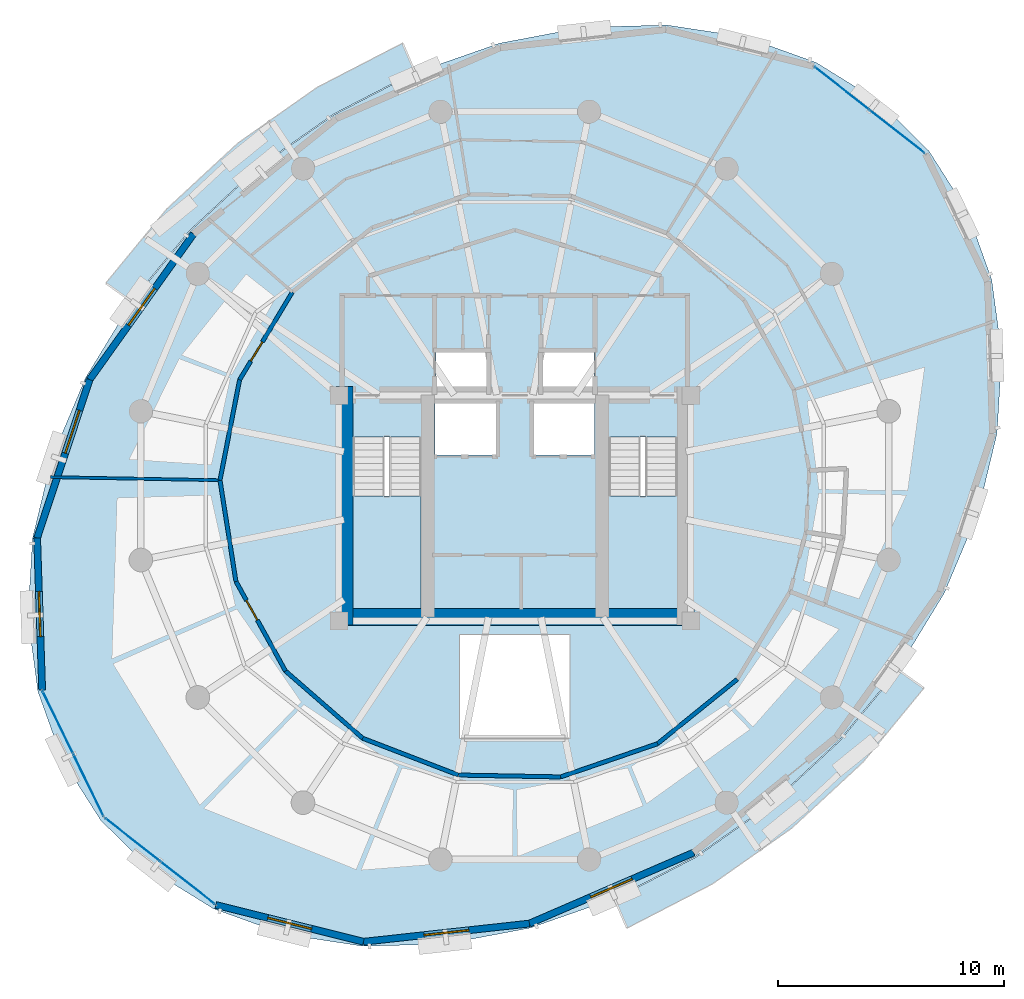
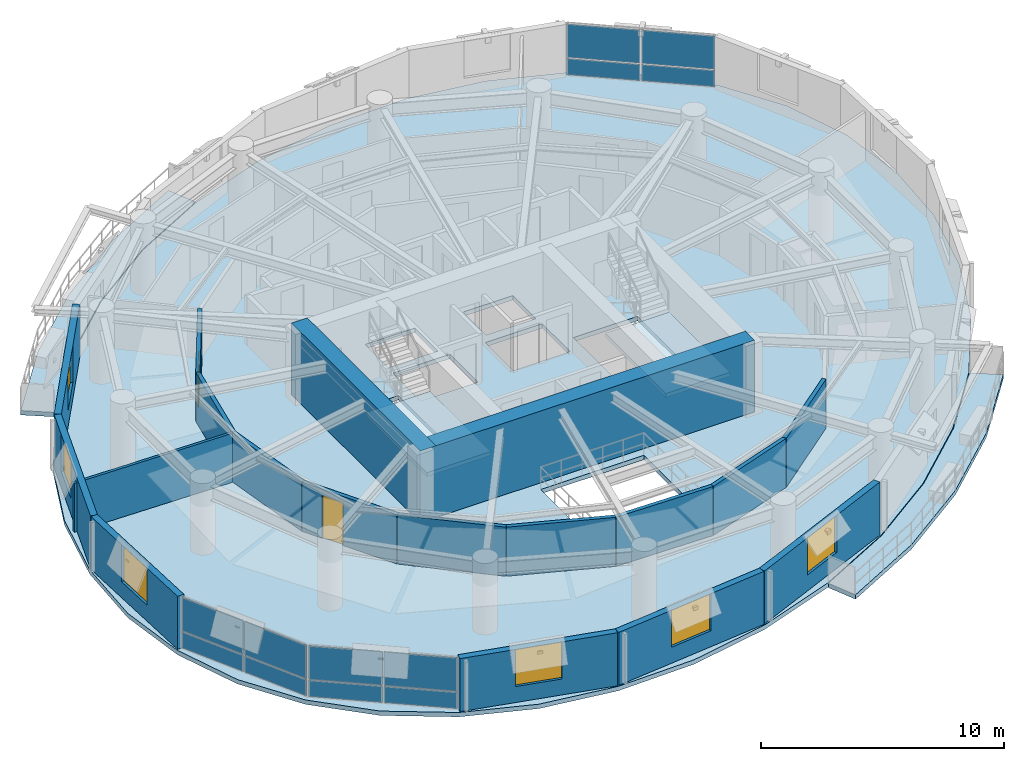
# One storey, part 7 of 12: 18 walls, 12 plates, 6 windows, 5 slabs, 2 doors, 8 openings, 5 elements without a shape of their own.
"""IFC4 building model written with IfcOpenShell, lengths in metres."""

from ifc_helpers import new_model, si_unit, direction, frame, frame_2d, origin, origin_2d, place, context, subcontext, project, spatial, polyline, rectangle, outline, extrude, material, layer, layer_set, type_object, element, fill, aggregate, save


model = new_model("IFC4")

# Units and contexts
model_context = context("Model", 3, precision=1e-05, world=origin(), true_north=direction((0.0, 1.0)))
body_context = subcontext(model_context, "Body", "Model", "MODEL_VIEW")
ifc_project = project(units=[si_unit("LENGTHUNIT", "METRE"), si_unit("AREAUNIT", "SQUARE_METRE"), si_unit("VOLUMEUNIT", "CUBIC_METRE"), si_unit("PLANEANGLEUNIT", "RADIAN"), si_unit("MASSUNIT", "GRAM", prefix="KILO"), si_unit("THERMODYNAMICTEMPERATUREUNIT", "KELVIN"), si_unit("POWERUNIT", "WATT")], contexts=[model_context])

# Site, building, storey
site_placement = place(None, origin())
site = spatial("IfcSite", under=ifc_project, at=site_placement, CompositionType="ELEMENT")
building_placement = place(site_placement, origin())
building = spatial("IfcBuilding", under=site, at=building_placement, Name="Ocrelia Relay Tower", CompositionType="ELEMENT")
storey_placement = place(building_placement, frame((0.0, 0.0, 195.199951171875)))
storey = spatial("IfcBuildingStorey", under=building, at=storey_placement, Name="L47", CompositionType="ELEMENT", Elevation=195.199951171875)

# Curtain wall, plates
ifc_material_1 = material(Name="Aluminium and solar-control low-E glass", Category="aluminium")
ifc_layer_1 = layer(ifc_material_1, 0.179931640625, Name="Aluminium and solar-control low-E glass")
ifc_layer_set_1 = layer_set([ifc_layer_1], Name="Aluminium and solar-control low-E glass")
curtain_wall_type = type_object("IfcCurtainWallType", Name="CW-SYS-Z3-CLOU", PredefinedType="NOTDEFINED", material=ifc_layer_set_1)
curtain_wall_1_placement = place(storey_placement, origin())
curtain_wall_1 = element("IfcCurtainWall", 1, at=curtain_wall_1_placement, inside=storey, type_object=curtain_wall_type, Name="L47 Elliptical Tower Curtain Wall Bay 01", PredefinedType="NOTDEFINED")
ifc_material_2 = material(Name="Clear double-glazed low-E glass", Category="glass")
ifc_layer_2 = layer(ifc_material_2, 0.031982421875, Name="Clear double-glazed low-E glass")
ifc_layer_set_2 = layer_set([ifc_layer_2], Name="Clear double-glazed low-E glass")
plate_type = type_object("IfcPlateType", Name="CW-SYS-Z3-CLOU-PNL", PredefinedType="CURTAIN_PANEL", material=ifc_layer_set_2)
plate_1_placement = place(storey_placement, frame((50.94873046875, 41.688720703125, 0.06005859375), z_axis=(0.0, 0.0, 1.0), x_axis=(-0.787260762162, 0.616620217281, 0.0)))
plate_1 = element("IfcPlate", 2, at=plate_1_placement, type_object=plate_type, Name="CW-Z3 panel 1.1", PredefinedType="CURTAIN_PANEL", context=body_context, shape_type="SweptSolid", body=[
    extrude(rectangle(XDim=3.0439453125, YDim=0.031982421875, at=origin_2d()), origin(), (0.0, 0.0, 1.0), 0.81005859375),
])
plate_2_placement = place(storey_placement, frame((50.94873046875, 41.688720703125, 0.93017578125), z_axis=(0.0, 0.0, 1.0), x_axis=(-0.787260762162, 0.616620217281, 0.0)))
plate_2 = element("IfcPlate", 3, at=plate_2_placement, type_object=plate_type, Name="CW-Z3 panel 1.2", PredefinedType="CURTAIN_PANEL", context=body_context, shape_type="SweptSolid", body=[
    extrude(rectangle(XDim=3.0439453125, YDim=0.031982421875, at=origin_2d()), origin(), (0.0, 0.0, 1.0), 1.669921875),
])
plate_3_placement = place(storey_placement, frame((48.501220703125, 43.605712890625, 0.06005859375), z_axis=(0.0, 0.0, 1.0), x_axis=(-0.787260762162, 0.616620217281, 0.0)))
plate_3 = element("IfcPlate", 4, at=plate_3_placement, type_object=plate_type, Name="CW-Z3 panel 2.1", PredefinedType="CURTAIN_PANEL", context=body_context, shape_type="SweptSolid", body=[
    extrude(rectangle(XDim=3.0439453125, YDim=0.031982421875, at=origin_2d()), origin(), (0.0, 0.0, 1.0), 0.81005859375),
])
plate_4_placement = place(storey_placement, frame((48.501220703125, 43.605712890625, 0.93017578125), z_axis=(0.0, 0.0, 1.0), x_axis=(-0.787260762162, 0.616620217281, 0.0)))
plate_4 = element("IfcPlate", 5, at=plate_4_placement, type_object=plate_type, Name="CW-Z3 panel 2.2", PredefinedType="CURTAIN_PANEL", context=body_context, shape_type="SweptSolid", body=[
    extrude(rectangle(XDim=3.0439453125, YDim=0.031982421875, at=origin_2d()), origin(), (0.0, 0.0, 1.0), 1.669921875),
])
aggregate(curtain_wall_1, [plate_1, plate_2, plate_3, plate_4])

curtain_wall_2_placement = place(storey_placement, origin())
curtain_wall_2 = element("IfcCurtainWall", 6, at=curtain_wall_2_placement, inside=storey, type_object=curtain_wall_type, Name="L47 Elliptical Tower Curtain Wall Bay 09", PredefinedType="NOTDEFINED")
plate_5_placement = place(storey_placement, frame((13.74560546875, 15.511474609375, 0.06005859375), z_axis=(0.0, 0.0, 1.0), x_axis=(0.437887621524, -0.89902971637, 0.0)))
plate_5 = element("IfcPlate", 7, at=plate_5_placement, type_object=plate_type, Name="CW-Z3 panel 1.1", PredefinedType="CURTAIN_PANEL", context=body_context, shape_type="SweptSolid", body=[
    extrude(rectangle(XDim=3.0439453125, YDim=0.031982421875, at=origin_2d()), origin(), (0.0, 0.0, 1.0), 0.81005859375),
])
plate_6_placement = place(storey_placement, frame((13.74560546875, 15.511474609375, 0.93017578125), z_axis=(0.0, 0.0, 1.0), x_axis=(0.437887621524, -0.89902971637, 0.0)))
plate_6 = element("IfcPlate", 8, at=plate_6_placement, type_object=plate_type, Name="CW-Z3 panel 1.2", PredefinedType="CURTAIN_PANEL", context=body_context, shape_type="SweptSolid", body=[
    extrude(rectangle(XDim=3.0439453125, YDim=0.031982421875, at=origin_2d()), origin(), (0.0, 0.0, 1.0), 1.669921875),
])
plate_7_placement = place(storey_placement, frame((15.10693359375, 12.716552734375, 0.06005859375), z_axis=(0.0, 0.0, 1.0), x_axis=(0.437887621524, -0.89902971637, 0.0)))
plate_7 = element("IfcPlate", 9, at=plate_7_placement, type_object=plate_type, Name="CW-Z3 panel 2.1", PredefinedType="CURTAIN_PANEL", context=body_context, shape_type="SweptSolid", body=[
    extrude(rectangle(XDim=3.0439453125, YDim=0.031982421875, at=origin_2d()), origin(), (0.0, 0.0, 1.0), 0.81005859375),
])
plate_8_placement = place(storey_placement, frame((15.10693359375, 12.716552734375, 0.93017578125), z_axis=(0.0, 0.0, 1.0), x_axis=(0.437887621524, -0.89902971637, 0.0)))
plate_8 = element("IfcPlate", 10, at=plate_8_placement, type_object=plate_type, Name="CW-Z3 panel 2.2", PredefinedType="CURTAIN_PANEL", context=body_context, shape_type="SweptSolid", body=[
    extrude(rectangle(XDim=3.0439453125, YDim=0.031982421875, at=origin_2d()), origin(), (0.0, 0.0, 1.0), 1.669921875),
])
aggregate(curtain_wall_2, [plate_5, plate_6, plate_7, plate_8])

curtain_wall_3_placement = place(storey_placement, origin())
curtain_wall_3 = element("IfcCurtainWall", 11, at=curtain_wall_3_placement, inside=storey, type_object=curtain_wall_type, Name="L47 Elliptical Tower Curtain Wall Bay 10", PredefinedType="NOTDEFINED")
plate_9_placement = place(storey_placement, frame((17.05126953125, 10.311279296875, 0.06005859375), z_axis=(0.0, 0.0, 1.0), x_axis=(0.787260762162, -0.616620217281, 0.0)))
plate_9 = element("IfcPlate", 12, at=plate_9_placement, type_object=plate_type, Name="CW-Z3 panel 1.1", PredefinedType="CURTAIN_PANEL", context=body_context, shape_type="SweptSolid", body=[
    extrude(rectangle(XDim=3.0439453125, YDim=0.031982421875, at=origin_2d()), origin(), (0.0, 0.0, 1.0), 0.81005859375),
])
plate_10_placement = place(storey_placement, frame((17.05126953125, 10.311279296875, 0.93017578125), z_axis=(0.0, 0.0, 1.0), x_axis=(0.787260762162, -0.616620217281, 0.0)))
plate_10 = element("IfcPlate", 13, at=plate_10_placement, type_object=plate_type, Name="CW-Z3 panel 1.2", PredefinedType="CURTAIN_PANEL", context=body_context, shape_type="SweptSolid", body=[
    extrude(rectangle(XDim=3.0439453125, YDim=0.031982421875, at=origin_2d()), origin(), (0.0, 0.0, 1.0), 1.669921875),
])
plate_11_placement = place(storey_placement, frame((19.498779296875, 8.394287109375, 0.06005859375), z_axis=(0.0, 0.0, 1.0), x_axis=(0.787260762162, -0.616620217281, 0.0)))
plate_11 = element("IfcPlate", 14, at=plate_11_placement, type_object=plate_type, Name="CW-Z3 panel 2.1", PredefinedType="CURTAIN_PANEL", context=body_context, shape_type="SweptSolid", body=[
    extrude(rectangle(XDim=3.0439453125, YDim=0.031982421875, at=origin_2d()), origin(), (0.0, 0.0, 1.0), 0.81005859375),
])
plate_12_placement = place(storey_placement, frame((19.498779296875, 8.394287109375, 0.93017578125), z_axis=(0.0, 0.0, 1.0), x_axis=(0.787260762162, -0.616620217281, 0.0)))
plate_12 = element("IfcPlate", 15, at=plate_12_placement, type_object=plate_type, Name="CW-Z3 panel 2.2", PredefinedType="CURTAIN_PANEL", context=body_context, shape_type="SweptSolid", body=[
    extrude(rectangle(XDim=3.0439453125, YDim=0.031982421875, at=origin_2d()), origin(), (0.0, 0.0, 1.0), 1.669921875),
])
aggregate(curtain_wall_3, [plate_9, plate_10, plate_11, plate_12])

# Slabs
ifc_material_3 = material(Name="Precast concrete C40/50", Category="concrete")
ifc_layer_3 = layer(ifc_material_3, 0.219970703125, Name="Precast concrete C40/50")
ifc_layer_set_3 = layer_set([ifc_layer_3], Name="Precast concrete C40/50")
slab_type_1 = type_object("IfcSlabType", Name="SL-BALC-220", PredefinedType="FLOOR", material=ifc_layer_set_3)
slab_1_placement = place(storey_placement, frame((0.0, 0.0, -0.219970703125)))
element("IfcSlab", 16, at=slab_1_placement, inside=storey, type_object=slab_type_1, Name="L47 Planted Loggia Balcony B1", PredefinedType="FLOOR", context=body_context, shape_type="SweptSolid", body=[
    extrude(outline(polyline([(29.5732421875, 44.3291015625), (27.76953125, 43.396728515625), (25.9658203125, 42.46435546875), (22.602783203125, 40.099609375), (19.58544921875, 37.306884765625), (18.295654296875, 35.73876953125), (17.006103515625, 34.170654296875), (15.8701171875, 34.977783203125), (17.22119140625, 36.620361328125), (18.572021484375, 38.2626953125), (21.726806640625, 41.18310546875), (25.24365234375, 43.65576171875), (27.1328125, 44.63232421875), (29.02197265625, 45.60888671875), (29.5732421875, 44.3291015625)])), origin(), (0.0, 0.0, 1.0), 0.219970703125),
])
slab_2_placement = place(storey_placement, frame((0.0, 0.0, -0.219970703125)))
element("IfcSlab", 17, at=slab_2_placement, inside=storey, type_object=slab_type_1, Name="L47 Planted Loggia Balcony B2", PredefinedType="FLOOR", context=body_context, shape_type="SweptSolid", body=[
    extrude(outline(polyline([(38.4267578125, 7.6708984375), (40.23046875, 8.603271484375), (42.0341796875, 9.53564453125), (45.397216796875, 11.900390625), (48.41455078125, 14.693115234375), (49.704345703125, 16.26123046875), (50.993896484375, 17.829345703125), (52.1298828125, 17.022216796875), (50.77880859375, 15.379638671875), (49.427978515625, 13.7373046875), (46.273193359375, 10.81689453125), (42.75634765625, 8.34423828125), (40.8671875, 7.36767578125), (38.97802734375, 6.39111328125), (38.4267578125, 7.6708984375)])), origin(), (0.0, 0.0, 1.0), 0.219970703125),
])
ifc_material_4 = material(Name="Concrete C50/60", Category="concrete")
ifc_layer_4 = layer(ifc_material_4, 0.219970703125, Name="Concrete C50/60")
ifc_layer_set_4 = layer_set([ifc_layer_4], Name="Concrete C50/60")
slab_type_2 = type_object("IfcSlabType", Name="SL-FLR-220", PredefinedType="FLOOR", material=ifc_layer_set_4)
slab_3_placement = place(storey_placement, frame((0.0, 0.0, -0.219970703125)))
element("IfcSlab", 18, at=slab_3_placement, inside=storey, type_object=slab_type_2, Name="L47 Elliptical Tower Floor Slab", PredefinedType="FLOOR", context=body_context, shape_type="SweptSolid", body=[
    extrude(outline(polyline([(52.353515625, 40.8359375), (50.098876953125, 43.054931640625), (47.35498046875, 44.755615234375), (44.20556640625, 45.886474609375), (40.745849609375, 46.4130859375), (37.0810546875, 46.3193359375), (33.32275390625, 45.6083984375), (29.585205078125, 44.301513671875), (25.9814453125, 42.438720703125), (22.62158203125, 40.076416015625), (19.607421875, 37.2861328125), (17.030517578125, 34.1533203125), (14.96923828125, 30.7724609375), (13.486083984375, 27.24658203125), (12.62646484375, 23.68310546875), (12.416015625, 20.189697265625), (12.861572265625, 16.873046875), (13.949462890625, 13.833740234375), (15.646484375, 11.1640625), (17.901123046875, 8.945068359375), (20.64501953125, 7.244384765625), (23.79443359375, 6.113525390625), (27.254150390625, 5.5869140625), (30.9189453125, 5.6806640625), (34.67724609375, 6.3916015625), (38.414794921875, 7.698486328125), (42.0185546875, 9.561279296875), (45.37841796875, 11.923583984375), (48.392578125, 14.7138671875), (50.969482421875, 17.8466796875), (53.03076171875, 21.2275390625), (54.513916015625, 24.75341796875), (55.37353515625, 28.31689453125), (55.583984375, 31.810302734375), (55.138427734375, 35.126953125), (54.050537109375, 38.166259765625), (52.353515625, 40.8359375)]), holes=[polyline([(26.81005859375, 28.14990234375), (26.81005859375, 20.550048828125), (29.85009765625, 20.550048828125), (29.85009765625, 28.14990234375), (26.81005859375, 28.14990234375)]), polyline([(38.159912109375, 28.14990234375), (38.159912109375, 20.550048828125), (41.199951171875, 20.550048828125), (41.199951171875, 28.14990234375), (38.159912109375, 28.14990234375)]), polyline([(30.4599609375, 27.35009765625), (33.159912109375, 27.35009765625), (33.159912109375, 29.64990234375), (30.4599609375, 29.64990234375), (30.4599609375, 27.35009765625)]), polyline([(34.840087890625, 27.35009765625), (37.5400390625, 27.35009765625), (37.5400390625, 29.64990234375), (34.840087890625, 29.64990234375), (34.840087890625, 27.35009765625)]), polyline([(30.5, 30.10009765625), (32.85009765625, 30.10009765625), (32.85009765625, 32.0), (30.5, 32.0), (30.5, 30.10009765625)]), polyline([(35.14990234375, 30.10009765625), (37.5, 30.10009765625), (37.5, 32.0), (35.14990234375, 32.0), (35.14990234375, 30.10009765625)]), polyline([(31.550048828125, 14.800048828125), (36.449951171875, 14.800048828125), (36.449951171875, 19.39990234375), (31.550048828125, 19.39990234375), (31.550048828125, 14.800048828125)])]), origin(), (0.0, 0.0, 1.0), 0.219970703125),
])

# Stair, slab
stair_type = type_object("IfcStairType", Name="ST-DL-1420-R180", PredefinedType="HALF_TURN_STAIR", material=ifc_material_4)
stair_1_placement = place(storey_placement, origin())
stair_1 = element("IfcStair", 19, at=stair_1_placement, inside=storey, type_object=stair_type, Name="L47 West Core Exit Stair ST1", PredefinedType="HALF_TURN_STAIR")
ifc_layer_5 = layer(ifc_material_4, 0.199951171875, Name="Concrete C50/60")
ifc_layer_set_5 = layer_set([ifc_layer_5], Name="Concrete C50/60")
slab_type_3 = type_object("IfcSlabType", Name="SL-LANDING-200", PredefinedType="LANDING", material=ifc_layer_set_5)
slab_4_placement = place(storey_placement, frame((0.0, 0.0, 1.60009765625)))
slab_4 = element("IfcSlab", 20, at=slab_4_placement, type_object=slab_type_3, Name="ST1 landing 1", PredefinedType="LANDING", context=body_context, shape_type="SweptSolid", body=[
    extrude(outline(polyline([(26.81005859375, 25.5400390625), (26.81005859375, 20.550048828125), (29.85009765625, 20.550048828125), (29.85009765625, 25.5400390625), (26.81005859375, 25.5400390625)])), origin(), (0.0, 0.0, 1.0), 0.199951171875),
])
aggregate(stair_1, [slab_4])

stair_2_placement = place(storey_placement, origin())
stair_2 = element("IfcStair", 21, at=stair_2_placement, inside=storey, type_object=stair_type, Name="L47 East Core Exit Stair ST2", PredefinedType="HALF_TURN_STAIR")
slab_5_placement = place(storey_placement, frame((0.0, 0.0, 1.60009765625)))
slab_5 = element("IfcSlab", 22, at=slab_5_placement, type_object=slab_type_3, Name="ST2 landing 1", PredefinedType="LANDING", context=body_context, shape_type="SweptSolid", body=[
    extrude(outline(polyline([(38.159912109375, 25.5400390625), (38.159912109375, 20.550048828125), (41.199951171875, 20.550048828125), (41.199951171875, 25.5400390625), (38.159912109375, 25.5400390625)])), origin(), (0.0, 0.0, 1.0), 0.199951171875),
])
aggregate(stair_2, [slab_5])

# Walls
ifc_material_5 = material(Name="Concrete C60/75", Category="concrete")
ifc_layer_6 = layer(ifc_material_5, 0.75, Name="Concrete C60/75")
ifc_layer_set_6 = layer_set([ifc_layer_6], Name="Concrete C60/75")
wall_type_1 = type_object("IfcWallType", Name="CW-CORE-750", PredefinedType="SHEAR", material=ifc_layer_set_6)
wall_1_placement = place(storey_placement, frame((26.072021484375, 20.18701171875, 0.0), z_axis=(0.0, 0.0, 1.0), x_axis=(1.0, 0.0, 0.0)))
element("IfcWall", 23, at=wall_1_placement, inside=storey, type_object=wall_type_1, Name="L47 Core Shear Wall S", PredefinedType="SHEAR", context=body_context, shape_type="SweptSolid", body=[
    extrude(rectangle(XDim=15.865966796875, YDim=0.75, at=frame_2d((7.93310546875, 0.0))), origin(), (0.0, 0.0, 1.0), 3.60009765625),
])
wall_2_placement = place(storey_placement, frame((26.447021484375, 19.81201171875, 0.0), z_axis=(0.0, 0.0, 1.0), x_axis=(0.0, 1.0, 0.0)))
element("IfcWall", 24, at=wall_2_placement, inside=storey, type_object=wall_type_1, Name="L47 Core Shear Wall W", PredefinedType="SHEAR", context=body_context, shape_type="SweptSolid", body=[
    extrude(rectangle(XDim=10.575927734375, YDim=0.75, at=frame_2d((5.2880859375, 0.0))), origin(), (0.0, 0.0, 1.0), 3.60009765625),
])

# Wall, opening, door
ifc_material_6 = material(Name="Gypsum Fireboard Partition EI60", Category="gypsum")
ifc_layer_7 = layer(ifc_material_6, 0.179931640625, Name="Gypsum Fireboard Partition EI60")
ifc_layer_set_7 = layer_set([ifc_layer_7], Name="Gypsum Fireboard Partition EI60")
wall_type_2 = type_object("IfcWallType", Name="W-CORR-EI60-180", PredefinedType="PARTITIONING", material=ifc_layer_set_7)
wall_3_placement = place(storey_placement, frame((24.143310546875, 34.583251953125, 0.0), z_axis=(0.0, 0.0, 1.0), x_axis=(-0.515768687054, -0.856727880633, 0.0)))
wall_3 = element("IfcWall", 25, at=wall_3_placement, inside=storey, type_object=wall_type_2, Name="L47 Platform Office E Corridor Partition 1", PredefinedType="PARTITIONING", context=body_context, shape_type="SweptSolid", body=[
    extrude(rectangle(XDim=4.5390625, YDim=0.179931640625, at=frame_2d((2.26953125, 0.0))), origin(), (0.0, 0.0, 1.0), 2.4599609375),
])
opening_1_placement = place(wall_3_placement, frame((2.579345703125, 0.0, 0.0)))
opening_1 = element("IfcOpeningElement", 26, at=opening_1_placement, cuts=wall_3, Name="Opening D-RM100", PredefinedType="OPENING", context=body_context, shape_type="SweptSolid", body=[
    extrude(rectangle(XDim=1.0, YDim=2.14990234375, at=frame_2d((0.5, 1.074951171875))), frame((0.0, 0.10009765625, 0.0), z_axis=(0.0, -1.0, 0.0), x_axis=(1.0, 0.0, 0.0)), (0.0, 0.0, 1.0), 0.199951171875),
])
ifc_material_7 = material(Name="Acoustic oak veneer fire door", Category="wood")
door_type = type_object("IfcDoorType", Name="DR-ROOM-FD60-1000", OperationType="NOTDEFINED", PredefinedType="DOOR", material=ifc_material_7)
door_1_placement = place(opening_1_placement, origin())
door_1 = element("IfcDoor", 27, at=door_1_placement, inside=storey, type_object=door_type, Name="L47 Platform Office E Entrance Door", OperationType="SINGLE_SWING_LEFT", OverallHeight=2.14990234375, OverallWidth=1.0, PredefinedType="DOOR", context=body_context, shape_type="SweptSolid", body=[
    extrude(rectangle(XDim=1.0, YDim=2.14990234375, at=frame_2d((0.5, 1.074951171875))), frame((0.0, 0.02490234375, 0.0), z_axis=(0.0, -1.0, 0.0), x_axis=(1.0, 0.0, 0.0)), (0.0, 0.0, 1.0), 0.050048828125),
])
fill(opening_1, door_1)

# Walls
wall_4_placement = place(storey_placement, frame((21.80224609375, 30.694580078125, 0.0), z_axis=(0.0, 0.0, 1.0), x_axis=(-0.191687274319, -0.981456055493, 0.0)))
element("IfcWall", 28, at=wall_4_placement, inside=storey, type_object=wall_type_2, Name="L47 Platform Office E Corridor Partition 2", PredefinedType="PARTITIONING", context=body_context, shape_type="SweptSolid", body=[
    extrude(rectangle(XDim=4.539306640625, YDim=0.179931640625, at=frame_2d((2.26953125, 0.0))), origin(), (0.0, 0.0, 1.0), 2.4599609375),
])
wall_5_placement = place(storey_placement, frame((20.93212890625, 26.239501953125, 0.0), z_axis=(0.0, 0.0, 1.0), x_axis=(0.155600748133, -0.987820027728, 0.0)))
element("IfcWall", 29, at=wall_5_placement, inside=storey, type_object=wall_type_2, Name="L47 Monitoring Office F Corridor Partition 1", PredefinedType="PARTITIONING", context=body_context, shape_type="SweptSolid", body=[
    extrude(rectangle(XDim=4.5390625, YDim=0.179931640625, at=frame_2d((2.26953125, 0.0))), origin(), (0.0, 0.0, 1.0), 2.4599609375),
])

# Wall, opening, door
wall_6_placement = place(storey_placement, frame((21.638427734375, 21.755615234375, 0.0), z_axis=(0.0, 0.0, 1.0), x_axis=(0.484025458678, -0.875053915683, 0.0)))
wall_6 = element("IfcWall", 30, at=wall_6_placement, inside=storey, type_object=wall_type_2, Name="L47 Monitoring Office F Corridor Partition 2", PredefinedType="PARTITIONING", context=body_context, shape_type="SweptSolid", body=[
    extrude(rectangle(XDim=4.5390625, YDim=0.179931640625, at=frame_2d((2.26953125, 0.0))), origin(), (0.0, 0.0, 1.0), 2.4599609375),
])
opening_2_placement = place(wall_6_placement, frame((0.959716796875, 0.0, 0.0)))
opening_2 = element("IfcOpeningElement", 31, at=opening_2_placement, cuts=wall_6, Name="Opening D-RM100", PredefinedType="OPENING", context=body_context, shape_type="SweptSolid", body=[
    extrude(rectangle(XDim=1.0, YDim=2.14990234375, at=frame_2d((0.5, 1.074951171875))), frame((0.0, 0.10009765625, 0.0), z_axis=(0.0, -1.0, 0.0), x_axis=(1.0, 0.0, 0.0)), (0.0, 0.0, 1.0), 0.199951171875),
])
door_2_placement = place(opening_2_placement, origin())
door_2 = element("IfcDoor", 32, at=door_2_placement, inside=storey, type_object=door_type, Name="L47 Monitoring Office F Entrance Door", OperationType="SINGLE_SWING_RIGHT", OverallHeight=2.14990234375, OverallWidth=1.0, PredefinedType="DOOR", context=body_context, shape_type="SweptSolid", body=[
    extrude(rectangle(XDim=1.0, YDim=2.14990234375, at=frame_2d((0.5, 1.074951171875))), frame((0.0, 0.02490234375, 0.0), z_axis=(0.0, -1.0, 0.0), x_axis=(1.0, 0.0, 0.0)), (0.0, 0.0, 1.0), 0.050048828125),
])
fill(opening_2, door_2)

# Walls
wall_7_placement = place(storey_placement, frame((23.83544921875, 17.78369140625, 0.0), z_axis=(0.0, 0.0, 1.0), x_axis=(0.754153769573, -0.656697869525, 0.0)))
element("IfcWall", 33, at=wall_7_placement, inside=storey, type_object=wall_type_2, Name="L47 Monitoring Office F Corridor Partition 3", PredefinedType="PARTITIONING", context=body_context, shape_type="SweptSolid", body=[
    extrude(rectangle(XDim=4.539306640625, YDim=0.179931640625, at=frame_2d((2.26953125, 0.0))), origin(), (0.0, 0.0, 1.0), 2.4599609375),
])
for number, where, z_axis, x_axis, name in (
    (34, (27.2587890625, 14.802734375, 0.0), (0.0, 0.0, 1.0), (0.93326379198, -0.359191723984, 0.0), "L47 Monitoring Office F Corridor Partition 4"),
    (35, (31.494873046875, 13.17236328125, 0.0), (0.0, 0.0, 1.0), (0.999831787945, -0.018341096331, 0.0), "L47 Monitoring Office F Corridor Partition 5"),
):
    element("IfcWall", number, at=place(storey_placement, frame(where, z_axis=z_axis, x_axis=x_axis)), inside=storey, type_object=wall_type_2, Name=name, PredefinedType="PARTITIONING", context=body_context, shape_type="SweptSolid", body=[
        extrude(rectangle(XDim=4.5390625, YDim=0.179931640625, at=frame_2d((2.26953125, 0.0))), origin(), (0.0, 0.0, 1.0), 2.4599609375),
    ])
for number, where, z_axis, x_axis, name in (
    (36, (36.033203125, 13.089111328125, 0.0), (0.0, 0.0, 1.0), (0.945799700753, 0.324750559747, 0.0), "L47 Monitoring Office F Corridor Partition 6"),
    (37, (40.326416015625, 14.563232421875, 0.0), (0.0, 0.0, 1.0), (0.777710585506, 0.62862249816, 0.0), "L47 Monitoring Office F Corridor Partition 7"),
):
    element("IfcWall", number, at=place(storey_placement, frame(where, z_axis=z_axis, x_axis=x_axis)), inside=storey, type_object=wall_type_2, Name=name, PredefinedType="PARTITIONING", context=body_context, shape_type="SweptSolid", body=[
        extrude(rectangle(XDim=4.539306640625, YDim=0.179931640625, at=frame_2d((2.26953125, 0.0))), origin(), (0.0, 0.0, 1.0), 2.4599609375),
    ])

# Wall, opening, window
ifc_material_8 = material(Name="Precast concrete C40/50 with oxide terracotta", Category="masonry")
ifc_layer_8 = layer(ifc_material_8, 0.300048828125, Name="Precast concrete C40/50 with oxide terracotta")
ifc_layer_set_8 = layer_set([ifc_layer_8], Name="Precast concrete C40/50 with oxide terracotta")
wall_type_3 = type_object("IfcWallType", Name="W-EXT-TERR-300", PredefinedType="SOLIDWALL", material=ifc_layer_set_8)
wall_8_placement = place(storey_placement, frame((19.75830078125, 37.15478515625, 0.0), z_axis=(0.0, 0.0, 1.0), x_axis=(-0.580588320106, -0.814197274963, 0.0)))
wall_8 = element("IfcWall", 38, at=wall_8_placement, inside=storey, type_object=wall_type_3, Name="L47 Oxide Terracotta Facade Wall 06", PredefinedType="SOLIDWALL", context=body_context, shape_type="SweptSolid", body=[
    extrude(rectangle(XDim=7.927001953125, YDim=0.300048828125, at=frame_2d((3.96337890625, 0.0))), origin(), (0.0, 0.0, 1.0), 2.66015625),
])
opening_3_placement = place(wall_8_placement, frame((2.964111328125, 0.0, 0.800048828125)))
opening_3 = element("IfcOpeningElement", 39, at=opening_3_placement, cuts=wall_8, Name="Opening W-03", PredefinedType="OPENING", context=body_context, shape_type="SweptSolid", body=[
    extrude(rectangle(XDim=2.0, YDim=1.85009765625, at=frame_2d((1.0, 0.925048828125))), frame((0.0, 0.16015625, 0.0), z_axis=(0.0, -1.0, 0.0), x_axis=(1.0, 0.0, 0.0)), (0.0, 0.0, 1.0), 0.320068359375),
])
window_type = type_object("IfcWindowType", Name="WIN-Z3-2000x2200", PartitioningType="DOUBLE_PANEL_VERTICAL", PredefinedType="WINDOW", material=ifc_material_2)
window_1_placement = place(opening_3_placement, origin())
window_1 = element("IfcWindow", 40, at=window_1_placement, inside=storey, type_object=window_type, Name="L47 Facade Module Window 06", OverallHeight=1.85009765625, OverallWidth=2.0, PartitioningType="SINGLE_PANEL", PredefinedType="WINDOW", context=body_context, shape_type="SweptSolid", body=[
    extrude(rectangle(XDim=2.0, YDim=1.85009765625, at=frame_2d((1.0, 0.925048828125))), frame((0.0, 0.030029296875, 0.0), z_axis=(0.0, -1.0, 0.0), x_axis=(1.0, 0.0, 0.0)), (0.0, 0.0, 1.0), 0.06005859375),
])
fill(opening_3, window_1)

wall_9_placement = place(storey_placement, frame((15.156005859375, 30.70068359375, 0.0), z_axis=(0.0, 0.0, 1.0), x_axis=(-0.31491065828, -0.949121318537, 0.0)))
wall_9 = element("IfcWall", 41, at=wall_9_placement, inside=storey, type_object=wall_type_3, Name="L47 Oxide Terracotta Facade Wall 07", PredefinedType="SOLIDWALL", context=body_context, shape_type="SweptSolid", body=[
    extrude(rectangle(XDim=7.397705078125, YDim=0.300048828125, at=frame_2d((3.69873046875, 0.0))), origin(), (0.0, 0.0, 1.0), 2.66015625),
])
opening_4_placement = place(wall_9_placement, frame((1.43896484375, 0.0, 0.800048828125)))
opening_4 = element("IfcOpeningElement", 42, at=opening_4_placement, cuts=wall_9, Name="Opening W-03", PredefinedType="OPENING", context=body_context, shape_type="SweptSolid", body=[
    extrude(rectangle(XDim=2.0, YDim=1.85009765625, at=frame_2d((1.0, 0.925048828125))), frame((0.0, 0.16015625, 0.0), z_axis=(0.0, -1.0, 0.0), x_axis=(1.0, 0.0, 0.0)), (0.0, 0.0, 1.0), 0.320068359375),
])
window_2_placement = place(opening_4_placement, origin())
window_2 = element("IfcWindow", 43, at=window_2_placement, inside=storey, type_object=window_type, Name="L47 Facade Module Window 07", OverallHeight=1.85009765625, OverallWidth=2.0, PartitioningType="SINGLE_PANEL", PredefinedType="WINDOW", context=body_context, shape_type="SweptSolid", body=[
    extrude(rectangle(XDim=2.0, YDim=1.85009765625, at=frame_2d((1.0, 0.925048828125))), frame((0.0, 0.030029296875, 0.0), z_axis=(0.0, -1.0, 0.0), x_axis=(1.0, 0.0, 0.0)), (0.0, 0.0, 1.0), 0.06005859375),
])
fill(opening_4, window_2)

wall_10_placement = place(storey_placement, frame((12.826416015625, 23.679443359375, 0.0), z_axis=(0.0, 0.0, 1.0), x_axis=(0.033263008574, -0.999446633023, 0.0)))
wall_10 = element("IfcWall", 44, at=wall_10_placement, inside=storey, type_object=wall_type_3, Name="L47 Oxide Terracotta Facade Wall 08", PredefinedType="SOLIDWALL", context=body_context, shape_type="SweptSolid", body=[
    extrude(rectangle(XDim=6.7451171875, YDim=0.300048828125, at=frame_2d((3.37255859375, 0.0))), origin(), (0.0, 0.0, 1.0), 2.66015625),
])
opening_5_placement = place(wall_10_placement, frame((2.373046875, 0.0, 0.800048828125)))
opening_5 = element("IfcOpeningElement", 45, at=opening_5_placement, cuts=wall_10, Name="Opening W-03", PredefinedType="OPENING", context=body_context, shape_type="SweptSolid", body=[
    extrude(rectangle(XDim=2.0, YDim=1.85009765625, at=frame_2d((1.0, 0.925048828125))), frame((0.0, 0.16015625, 0.0), z_axis=(0.0, -1.0, 0.0), x_axis=(1.0, 0.0, 0.0)), (0.0, 0.0, 1.0), 0.320068359375),
])
window_3_placement = place(opening_5_placement, origin())
window_3 = element("IfcWindow", 46, at=window_3_placement, inside=storey, type_object=window_type, Name="L47 Facade Module Window 08", OverallHeight=1.85009765625, OverallWidth=2.0, PartitioningType="SINGLE_PANEL", PredefinedType="WINDOW", context=body_context, shape_type="SweptSolid", body=[
    extrude(rectangle(XDim=2.0, YDim=1.85009765625, at=frame_2d((1.0, 0.925048828125))), frame((0.0, 0.030029296875, 0.0), z_axis=(0.0, -1.0, 0.0), x_axis=(1.0, 0.0, 0.0)), (0.0, 0.0, 1.0), 0.06005859375),
])
fill(opening_5, window_3)

wall_11_placement = place(storey_placement, frame((20.748046875, 7.415771484375, 0.0), z_axis=(0.0, 0.0, 1.0), x_axis=(0.970265866101, -0.242041626748, 0.0)))
wall_11 = element("IfcWall", 47, at=wall_11_placement, inside=storey, type_object=wall_type_3, Name="L47 Oxide Terracotta Facade Wall 11", PredefinedType="SOLIDWALL", context=body_context, shape_type="SweptSolid", body=[
    extrude(rectangle(XDim=6.744873046875, YDim=0.300048828125, at=frame_2d((3.37255859375, 0.0))), origin(), (0.0, 0.0, 1.0), 2.66015625),
])
opening_6_placement = place(wall_11_placement, frame((2.373046875, 0.0, 0.800048828125)))
opening_6 = element("IfcOpeningElement", 48, at=opening_6_placement, cuts=wall_11, Name="Opening W-03", PredefinedType="OPENING", context=body_context, shape_type="SweptSolid", body=[
    extrude(rectangle(XDim=2.0, YDim=1.85009765625, at=frame_2d((1.0, 0.925048828125))), frame((0.0, 0.16015625, 0.0), z_axis=(0.0, -1.0, 0.0), x_axis=(1.0, 0.0, 0.0)), (0.0, 0.0, 1.0), 0.320068359375),
])
window_4_placement = place(opening_6_placement, origin())
window_4 = element("IfcWindow", 49, at=window_4_placement, inside=storey, type_object=window_type, Name="L47 Facade Module Window 11", OverallHeight=1.85009765625, OverallWidth=2.0, PartitioningType="SINGLE_PANEL", PredefinedType="WINDOW", context=body_context, shape_type="SweptSolid", body=[
    extrude(rectangle(XDim=2.0, YDim=1.85009765625, at=frame_2d((1.0, 0.925048828125))), frame((0.0, 0.030029296875, 0.0), z_axis=(0.0, -1.0, 0.0), x_axis=(1.0, 0.0, 0.0)), (0.0, 0.0, 1.0), 0.06005859375),
])
fill(opening_6, window_4)

wall_12_placement = place(storey_placement, frame((27.29248046875, 5.783203125, 0.0), z_axis=(0.0, 0.0, 1.0), x_axis=(0.994048036748, 0.108942648383, 0.0)))
wall_12 = element("IfcWall", 50, at=wall_12_placement, inside=storey, type_object=wall_type_3, Name="L47 Oxide Terracotta Facade Wall 12", PredefinedType="SOLIDWALL", context=body_context, shape_type="SweptSolid", body=[
    extrude(rectangle(XDim=7.3974609375, YDim=0.300048828125, at=frame_2d((3.69873046875, 0.0))), origin(), (0.0, 0.0, 1.0), 2.66015625),
])
opening_7_placement = place(wall_12_placement, frame((2.698974609375, 0.0, 0.800048828125)))
opening_7 = element("IfcOpeningElement", 51, at=opening_7_placement, cuts=wall_12, Name="Opening W-03", PredefinedType="OPENING", context=body_context, shape_type="SweptSolid", body=[
    extrude(rectangle(XDim=2.0, YDim=1.85009765625, at=frame_2d((1.0, 0.925048828125))), frame((0.0, 0.16015625, 0.0), z_axis=(0.0, -1.0, 0.0), x_axis=(1.0, 0.0, 0.0)), (0.0, 0.0, 1.0), 0.320068359375),
])
window_5_placement = place(opening_7_placement, origin())
window_5 = element("IfcWindow", 52, at=window_5_placement, inside=storey, type_object=window_type, Name="L47 Facade Module Window 12", OverallHeight=1.85009765625, OverallWidth=2.0, PartitioningType="SINGLE_PANEL", PredefinedType="WINDOW", context=body_context, shape_type="SweptSolid", body=[
    extrude(rectangle(XDim=2.0, YDim=1.85009765625, at=frame_2d((1.0, 0.925048828125))), frame((0.0, 0.030029296875, 0.0), z_axis=(0.0, -1.0, 0.0), x_axis=(1.0, 0.0, 0.0)), (0.0, 0.0, 1.0), 0.06005859375),
])
fill(opening_7, window_5)

wall_13_placement = place(storey_placement, frame((34.64599609375, 6.589111328125, 0.0), z_axis=(0.0, 0.0, 1.0), x_axis=(0.917811240331, 0.397017036311, 0.0)))
wall_13 = element("IfcWall", 53, at=wall_13_placement, inside=storey, type_object=wall_type_3, Name="L47 Oxide Terracotta Facade Wall 13", PredefinedType="SOLIDWALL", context=body_context, shape_type="SweptSolid", body=[
    extrude(rectangle(XDim=7.92724609375, YDim=0.300048828125, at=frame_2d((3.963623046875, 0.0))), origin(), (0.0, 0.0, 1.0), 2.66015625),
])
opening_8_placement = place(wall_13_placement, frame((2.964111328125, 0.0, 0.800048828125)))
opening_8 = element("IfcOpeningElement", 54, at=opening_8_placement, cuts=wall_13, Name="Opening W-03", PredefinedType="OPENING", context=body_context, shape_type="SweptSolid", body=[
    extrude(rectangle(XDim=2.0, YDim=1.85009765625, at=frame_2d((1.0, 0.925048828125))), frame((0.0, 0.16015625, 0.0), z_axis=(0.0, -1.0, 0.0), x_axis=(1.0, 0.0, 0.0)), (0.0, 0.0, 1.0), 0.320068359375),
])
window_6_placement = place(opening_8_placement, origin())
window_6 = element("IfcWindow", 55, at=window_6_placement, inside=storey, type_object=window_type, Name="L47 Facade Module Window 13", OverallHeight=1.85009765625, OverallWidth=2.0, PartitioningType="SINGLE_PANEL", PredefinedType="WINDOW", context=body_context, shape_type="SweptSolid", body=[
    extrude(rectangle(XDim=2.0, YDim=1.85009765625, at=frame_2d((1.0, 0.925048828125))), frame((0.0, 0.030029296875, 0.0), z_axis=(0.0, -1.0, 0.0), x_axis=(1.0, 0.0, 0.0)), (0.0, 0.0, 1.0), 0.06005859375),
])
fill(opening_8, window_6)

# Wall
ifc_material_9 = material(Name="Acoustic Fireboard Partition EI60", Category="gypsum")
ifc_layer_9 = layer(ifc_material_9, 0.125, Name="Acoustic Fireboard Partition EI60")
ifc_layer_set_9 = layer_set([ifc_layer_9], Name="Acoustic Fireboard Partition EI60")
wall_type_4 = type_object("IfcWallType", Name="W-PART-125", PredefinedType="PARTITIONING", material=ifc_layer_set_9)
wall_14_placement = place(storey_placement, frame((20.93212890625, 26.239501953125, 0.0), z_axis=(0.0, 0.0, 1.0), x_axis=(-0.999831870586, 0.018336590739, 0.0)))
element("IfcWall", 56, at=wall_14_placement, inside=storey, type_object=wall_type_4, Name="L47 Platform Office E Radial Partition", PredefinedType="PARTITIONING", context=body_context, shape_type="SweptSolid", body=[
    extrude(rectangle(XDim=7.50927734375, YDim=0.125, at=frame_2d((3.754638671875, 0.0))), origin(), (0.0, 0.0, 1.0), 2.4599609375),
])

save(model, "model.ifc")
